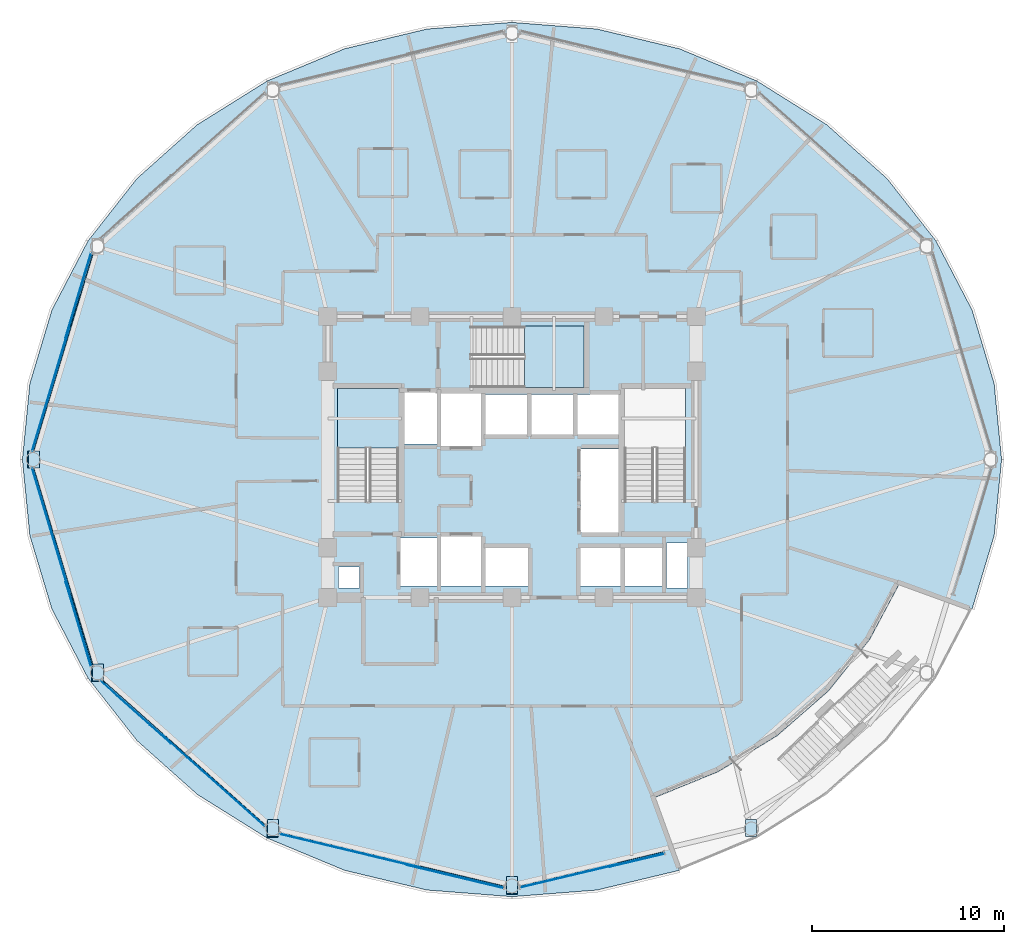
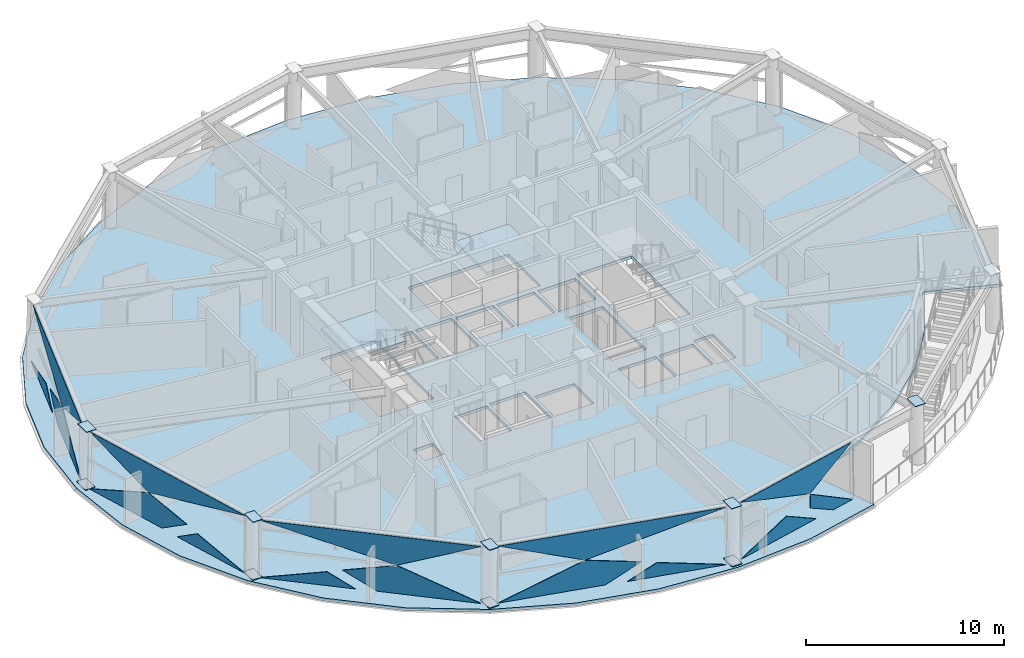
# One storey, part 8 of 18: 24 plates, 3 slabs, 7 elements without a shape of their own.
"""IFC4 building model written with IfcOpenShell, lengths in metres."""

import ifcopenshell
import ifcopenshell.guid

model = None  # the IFC model being written
_history = None  # IfcOwnerHistory: only IFC2X3 demands one
_inside = {}  # id of a spatial element -> (the spatial element, [elements in it])
_under = {}  # id of a project, library or spatial element -> (it, [spatial elements below it])
_declared = {}  # id of a project -> (the project, [libraries it declares])
_typed = {}  # id of a type object -> (the type object, [elements of that type])
_made_of = {}  # id of a material, layer set ... -> (it, [elements and type objects made of it])


def new_model(schema):
    """Start an empty IFC model of exactly this schema.

    Asked for "IFC4X3", IfcOpenShell would pick the latest addendum, in which some entities
    have other attributes; the version numbers below select the first issue.
    IFC2X3 requires an IfcOwnerHistory on every rooted entity: one is made here for all.
    """
    global model, _history
    if schema == "IFC4X3":
        model = ifcopenshell.file(schema_version=(4, 3, 0, 0))
    else:
        model = ifcopenshell.file(schema=schema)
    _inside.clear()
    _under.clear()
    _declared.clear()
    _typed.clear()
    _made_of.clear()
    _history = None
    if model.schema == "IFC2X3":
        org = make("IfcOrganization", Name="unknown")
        user = make(
            "IfcPersonAndOrganization",
            ThePerson=make("IfcPerson", FamilyName="unknown"),
            TheOrganization=org,
        )
        app = make(
            "IfcApplication",
            ApplicationDeveloper=org,
            Version="unknown",
            ApplicationFullName="unknown",
            ApplicationIdentifier="unknown",
        )
        _history = make(
            "IfcOwnerHistory",
            OwningUser=user,
            OwningApplication=app,
            ChangeAction="ADDED",
            CreationDate=0,
        )
    return model


def make(cls, **values):
    """One entity of the class cls with the attributes given. An attribute that is None is left unset."""
    return model.create_entity(
        cls, **{name: value for name, value in values.items() if value is not None}
    )


def rooted(cls, **values):
    """An entity with a GlobalId (a new one), such as an element, a storey or a relation."""
    return make(cls, GlobalId=ifcopenshell.guid.new(), OwnerHistory=_history, **values)


def si_unit(unit_type, name, prefix=None):
    """IfcSIUnit, for example si_unit("LENGTHUNIT", "METRE", prefix="MILLI")."""
    return make("IfcSIUnit", UnitType=unit_type, Prefix=prefix, Name=name)


def assignment(units):
    """IfcUnitAssignment: the units of a project."""
    return None if units is None else make("IfcUnitAssignment", Units=units)


def point(xyz):
    """IfcCartesianPoint."""
    return None if xyz is None else make("IfcCartesianPoint", Coordinates=xyz)


def direction(xyz):
    """IfcDirection."""
    return None if xyz is None else make("IfcDirection", DirectionRatios=xyz)


def frame(location, z_axis=None, x_axis=None):
    """IfcAxis2Placement3D, a coordinate frame: its origin and axes. An axis left out is left unset."""
    return make(
        "IfcAxis2Placement3D",
        Location=point(location),
        Axis=direction(z_axis),
        RefDirection=direction(x_axis),
    )


def origin():
    """The frame at (0, 0, 0) with its axes left unset."""
    return frame((0.0, 0.0, 0.0))


def place(relative_to, where):
    """IfcLocalPlacement: puts the frame where relative to a parent placement (None: the world)."""
    return make(
        "IfcLocalPlacement", PlacementRelTo=relative_to, RelativePlacement=where
    )


def context(
    kind, dimensions, precision=None, world=None, true_north=None, identifier=None
):
    """IfcGeometricRepresentationContext, for example the 3D "Model" context."""
    return make(
        "IfcGeometricRepresentationContext",
        ContextIdentifier=identifier,
        ContextType=kind,
        CoordinateSpaceDimension=dimensions,
        Precision=precision,
        WorldCoordinateSystem=world,
        TrueNorth=true_north,
    )


def subcontext(parent, identifier, kind, view, scale=None):
    """IfcGeometricRepresentationSubContext, for example "Body" below "Model"."""
    return make(
        "IfcGeometricRepresentationSubContext",
        ContextIdentifier=identifier,
        ContextType=kind,
        ParentContext=parent,
        TargetScale=scale,
        TargetView=view,
    )


def project(units=None, contexts=None):
    """IfcProject with its units and contexts."""
    return rooted(
        "IfcProject",
        Name="project",
        RepresentationContexts=contexts,
        UnitsInContext=assignment(units),
    )


def spatial(cls, under=None, at=None, **own):
    """A site, building, storey or space (cls), placed at a placement, below another one or the project."""
    s = rooted(cls, ObjectPlacement=at, **own)
    if under is not None:
        _under.setdefault(under.id(), (under, []))[1].append(s)
    return s


def polyline(points):
    """IfcPolyline through the points."""
    return make("IfcPolyline", Points=[point(p) for p in points])


def outline(outer, holes=None, kind="AREA"):
    """IfcArbitraryClosedProfileDef: a profile drawn as a closed curve; with holes, ...WithVoids."""
    if holes is None:
        return make("IfcArbitraryClosedProfileDef", ProfileType=kind, OuterCurve=outer)
    return make(
        "IfcArbitraryProfileDefWithVoids",
        ProfileType=kind,
        OuterCurve=outer,
        InnerCurves=holes,
    )


def extrude(swept, where, along, depth):
    """IfcExtrudedAreaSolid: the profile swept, set in the frame where, extruded along a direction by depth."""
    return make(
        "IfcExtrudedAreaSolid",
        SweptArea=swept,
        Position=where,
        ExtrudedDirection=direction(along),
        Depth=depth,
    )


def shape(context_of_items, identifier, shape_type, items):
    """IfcShapeRepresentation: the items that make up one representation, for example the "Body"."""
    return make(
        "IfcShapeRepresentation",
        ContextOfItems=context_of_items,
        RepresentationIdentifier=identifier,
        RepresentationType=shape_type,
        Items=items,
    )


def material(Name=None, Category=None):
    """IfcMaterial."""
    return make("IfcMaterial", Name=Name, Category=Category)


def layer(
    of_material, thickness, ventilated=None, Name=None, Category=None, Priority=None
):
    """IfcMaterialLayer: one layer of a wall or slab, of a material (None: an air gap)."""
    return make(
        "IfcMaterialLayer",
        Material=of_material,
        LayerThickness=thickness,
        IsVentilated=ventilated,
        Name=Name,
        Category=Category,
        Priority=Priority,
    )


def layer_set(layers, Name=None):
    """IfcMaterialLayerSet."""
    return make("IfcMaterialLayerSet", MaterialLayers=layers, LayerSetName=Name)


def made_of(thing, what):
    """Note that an element or type object is made of a material, layer set ...; save() writes the relation."""
    if what is not None:
        _made_of.setdefault(what.id(), (what, []))[1].append(thing)
    return thing


def type_object(cls, material=None, **own):
    """A type object (cls), such as IfcWallType, which elements share."""
    return made_of(rooted(cls, **own), material)


def element(
    cls,
    number,
    at=None,
    inside=None,
    cuts=None,
    type_object=None,
    material=None,
    context=None,
    identifier="Body",
    shape_type=None,
    held_by="IfcProductDefinitionShape",
    body=None,
    shapes=None,
    **own,
):
    """One element of the class cls, such as IfcWall. Its Tag is "e" and its number.

    at: its placement. inside: the storey or other place that contains it. cuts: it is an
    opening in that element (IfcRelVoidsElement). A single representation is given by context,
    identifier, shape_type and body (its items); several are given by shapes. held_by: the class
    of the entity that holds the representations. save() writes the other relations.
    """
    e = rooted(cls, Tag="e%d" % number, ObjectPlacement=at, **own)
    if body is not None:
        shapes = [shape(context, identifier, shape_type, body)]
    if shapes is not None:
        e.Representation = make(held_by, Representations=shapes)
    if inside is not None:
        _inside.setdefault(inside.id(), (inside, []))[1].append(e)
    if cuts is not None:
        rooted(
            "IfcRelVoidsElement", RelatingBuildingElement=cuts, RelatedOpeningElement=e
        )
    if type_object is not None:
        _typed.setdefault(type_object.id(), (type_object, []))[1].append(e)
    return made_of(e, material)


def aggregate(whole, parts):
    """IfcRelAggregates: a whole, such as a stair, and the parts it consists of."""
    return rooted("IfcRelAggregates", RelatingObject=whole, RelatedObjects=parts)


def save(model, path):
    """Write the relations noted so far, then the file.

    IfcRelAggregates (storeys below a building ...), IfcRelContainedInSpatialStructure (elements
    in a storey), IfcRelDefinesByType, IfcRelAssociatesMaterial and IfcRelDeclares: one each for
    every whole, place, type object, material and project.
    """
    for whole, parts in _under.values():
        aggregate(whole, parts)
    for where, things in _inside.values():
        rooted(
            "IfcRelContainedInSpatialStructure",
            RelatedElements=things,
            RelatingStructure=where,
        )
    for kind, things in _typed.values():
        rooted("IfcRelDefinesByType", RelatedObjects=things, RelatingType=kind)
    for what, things in _made_of.values():
        rooted("IfcRelAssociatesMaterial", RelatedObjects=things, RelatingMaterial=what)
    for by, libraries in _declared.values():
        rooted("IfcRelDeclares", RelatingContext=by, RelatedDefinitions=libraries)
    model.write(path)


model = new_model("IFC4")

# Units and contexts
model_context = context("Model", 3, precision=1e-05, world=origin(), true_north=direction((0.0, 1.0)))
body_context = subcontext(model_context, "Body", "Model", "MODEL_VIEW")
ifc_project = project(units=[si_unit("LENGTHUNIT", "METRE"), si_unit("AREAUNIT", "SQUARE_METRE"), si_unit("VOLUMEUNIT", "CUBIC_METRE"), si_unit("PLANEANGLEUNIT", "RADIAN"), si_unit("MASSUNIT", "GRAM", prefix="KILO")], contexts=[model_context])

# Site, building, storey
site_placement = place(None, origin())
site = spatial("IfcSite", under=ifc_project, at=site_placement, CompositionType="ELEMENT")
building_placement = place(site_placement, origin())
building = spatial("IfcBuilding", under=site, at=building_placement, Name="Vantalir Tower", CompositionType="ELEMENT")
storey_placement = place(building_placement, frame((0.0, 0.0, 138.449951171875)))
storey = spatial("IfcBuildingStorey", under=building, at=storey_placement, Name="L34", CompositionType="ELEMENT", Elevation=138.449951171875)

# Curtain wall, plates
ifc_material_1 = material(Name="Champagne-silver PVDF aluminium and double-silver Low-E glass", Category="aluminium")
ifc_layer_1 = layer(ifc_material_1, 0.199951171875)
ifc_layer_set_1 = layer_set([ifc_layer_1], Name="Champagne-silver PVDF aluminium and double-silver Low-E glass")
curtain_wall_type = type_object("IfcCurtainWallType", Name="CW-DIAMOND-Z2", PredefinedType="USERDEFINED", material=ifc_layer_set_1)
curtain_wall_1_placement = place(storey_placement, origin())
curtain_wall_1 = element("IfcCurtainWall", 1, at=curtain_wall_1_placement, inside=storey, type_object=curtain_wall_type, Name="L34 Quilted Pyramid-Diamond Curtain Wall S06", ObjectType="UNITISED CURTAIN WALL", PredefinedType="USERDEFINED")
ifc_material_2 = material(Name="Double-silver Low-E laminated glass IGU", Category="glass")
ifc_layer_2 = layer(ifc_material_2, 0.028076171875)
ifc_layer_set_2 = layer_set([ifc_layer_2], Name="Double-silver Low-E laminated glass IGU")
plate_type_1 = type_object("IfcPlateType", Name="CWP-IGU-28", PredefinedType="CURTAIN_PANEL", material=ifc_layer_set_2)
plate_1_placement = place(storey_placement, frame((7.9267578125, 30.274658203125, 0.046630859375), z_axis=(-0.957646673182, 0.287926248303, 0.003365246067), x_axis=(-0.287927722445, -0.957652141598, 4.8374838e-05)))
plate_1 = element("IfcPlate", 2, at=plate_1_placement, type_object=plate_type_1, Name="CW-L34-S06 Pyramid Diamond Facet 1L", PredefinedType="CURTAIN_PANEL", context=body_context, shape_type="SweptSolid", body=[
    extrude(outline(polyline([(0.0, 0.0), (5.053072374277684, 0.0), (0.9436419475067914, 1.7262824878685095), (-1.7075767561448838, 1.0420809941366045), (0.0, 0.0)])), origin(), (0.0, 0.0, -1.0), 0.028076171875),
])
plate_2_placement = place(storey_placement, frame((9.55029296875, 35.78564453125, 0.046630859375), z_axis=(-0.957655057104, 0.287900136378, 0.003209840723), x_axis=(-0.287901619518, -0.957659990539, 0.0)))
plate_2 = element("IfcPlate", 3, at=plate_2_placement, type_object=plate_type_1, Name="CW-L34-S06 Pyramid Diamond Facet 1L Infill Light", PredefinedType="CURTAIN_PANEL", context=body_context, shape_type="SweptSolid", body=[
    extrude(outline(polyline([(0.0, 0.0), (4.651280983993641, 8.673617379884035e-19), (3.2687214853731024, 0.8437543466443949), (0.0, 0.0)])), origin(), (0.0, 0.0, -1.0), 0.028076171875),
])
plate_3_placement = place(storey_placement, frame((6.533935546875, 25.435546875, 3.523193359375), z_axis=(-0.957220405249, 0.287719805381, 0.030763767111), x_axis=(0.287857388556, 0.95767328552, 4.5339012e-05)))
plate_3 = element("IfcPlate", 4, at=plate_3_placement, type_object=plate_type_1, Name="CW-L34-S06 Pyramid Diamond Facet 2U", PredefinedType="CURTAIN_PANEL", context=body_context, shape_type="SweptSolid", body=[
    extrude(outline(polyline([(0.0, 0.0), (10.769560829429146, 1.9136168344369153e-17), (4.091654982504182, 1.7270771865919425), (0.0, 0.0)])), origin(), (0.0, 0.0, -1.0), 0.028076171875),
])
aggregate(curtain_wall_1, [plate_1, plate_2, plate_3])

curtain_wall_2_placement = place(storey_placement, origin())
curtain_wall_2 = element("IfcCurtainWall", 5, at=curtain_wall_2_placement, inside=storey, type_object=curtain_wall_type, Name="L34 Quilted Pyramid-Diamond Curtain Wall S07", ObjectType="UNITISED CURTAIN WALL", PredefinedType="USERDEFINED")
plate_4_placement = place(storey_placement, frame((6.471923828125, 24.564453125, 0.046875), z_axis=(-0.957657175469, -0.287892013628, 0.003304960155), x_axis=(0.287893432862, -0.957662450442, -4.8255434e-05)))
plate_4 = element("IfcPlate", 6, at=plate_4_placement, type_object=plate_type_1, Name="CW-L34-S07 Pyramid Diamond Facet 1L", PredefinedType="CURTAIN_PANEL", context=body_context, shape_type="SweptSolid", body=[
    extrude(outline(polyline([(0.0, 0.0), (5.05307237424038, -6.505213034913027e-19), (6.760812630996521, 1.042324127203851), (4.109664229762992, 1.7262822647263172), (0.0, 0.0)])), origin(), (0.0, 0.0, -1.0), 0.028076171875),
])
plate_5_placement = place(storey_placement, frame((8.2109375, 18.66845703125, 0.046630859375), z_axis=(-0.957652775924, -0.287904599338, 0.00347885696), x_axis=(0.287906341529, -0.957658570947, 0.0)))
plate_5 = element("IfcPlate", 7, at=plate_5_placement, type_object=plate_type_1, Name="CW-L34-S07 Pyramid Diamond Facet 1L Infill Light", PredefinedType="CURTAIN_PANEL", context=body_context, shape_type="SweptSolid", body=[
    extrude(outline(polyline([(0.0, 0.0), (4.652052683657404, 0.0), (1.3826298015920189, 0.8437551057656457), (0.0, 0.0)])), origin(), (0.0, 0.0, -1.0), 0.028076171875),
])
plate_6_placement = place(storey_placement, frame((9.634033203125, 14.250732421875, 3.523681640625), z_axis=(-0.957219206718, -0.287719443202, 0.030804420021), x_axis=(-0.287857388556, 0.95767328552, -4.5339012e-05)))
plate_6 = element("IfcPlate", 8, at=plate_6_placement, type_object=plate_type_1, Name="CW-L34-S07 Pyramid Diamond Facet 2U", PredefinedType="CURTAIN_PANEL", context=body_context, shape_type="SweptSolid", body=[
    extrude(outline(polyline([(0.0, 0.0), (10.769560829429146, -1.3877787807814457e-17), (6.67767203997049, 1.7270793606222616), (0.0, 0.0)])), origin(), (0.0, 0.0, -1.0), 0.028076171875),
])
aggregate(curtain_wall_2, [plate_4, plate_5, plate_6])

curtain_wall_3_placement = place(storey_placement, origin())
curtain_wall_3 = element("IfcCurtainWall", 9, at=curtain_wall_3_placement, inside=storey, type_object=curtain_wall_type, Name="L34 Quilted Pyramid-Diamond Curtain Wall S08", ObjectType="UNITISED CURTAIN WALL", PredefinedType="USERDEFINED")
plate_7_placement = place(storey_placement, frame((14.578125, 9.44921875, 0.046630859375), z_axis=(-0.665429031024, -0.746457106866, 0.002447913399), x_axis=(0.746459343439, -0.66543102467, 4.4632e-08)))
plate_7 = element("IfcPlate", 10, at=plate_7_placement, type_object=plate_type_1, Name="CW-L34-S08 Pyramid Diamond Facet 1L", PredefinedType="CURTAIN_PANEL", context=body_context, shape_type="SweptSolid", body=[
    extrude(outline(polyline([(0.0, 0.0), (5.361487202268064, 0.0), (1.0140582376187854, 1.7265676277864628), (-1.7936946683047188, 1.041751487464333), (0.0, 0.0)])), origin(), (0.0, 0.0, -1.0), 0.028076171875),
])
plate_8_placement = place(storey_placement, frame((10.0302734375, 13.46044921875, 0.046630859375), z_axis=(-0.665400262991, -0.74648260857, 0.002491006711), x_axis=(0.746484924586, -0.665402327443, 0.0)))
plate_8 = element("IfcPlate", 11, at=plate_8_placement, type_object=plate_type_1, Name="CW-L34-S08 Pyramid Diamond Facet 1L Infill Light", PredefinedType="CURTAIN_PANEL", context=body_context, shape_type="SweptSolid", body=[
    extrude(outline(polyline([(0.0, 0.0), (4.929025675121466, -8.673617379884035e-19), (3.4711027875536344, 0.846682314384401), (0.0, 0.0)])), origin(), (0.0, 0.0, -1.0), 0.028076171875),
])
plate_9_placement = place(storey_placement, frame((18.611328125, 5.9296875, 3.5234375), z_axis=(-0.665087369526, -0.746163123623, 0.029989728937), x_axis=(-0.746498465783, 0.665387135527, 2.1424018e-05)))
plate_9 = element("IfcPlate", 12, at=plate_9_placement, type_object=plate_type_1, Name="CW-L34-S08 Pyramid Diamond Facet 2U", PredefinedType="CURTAIN_PANEL", context=body_context, shape_type="SweptSolid", body=[
    extrude(outline(polyline([(0.0, 0.0), (11.395650932216812, -4.3639137442541553e-17), (4.338515562294263, 1.7274324359819784), (0.0, 0.0)])), origin(), (0.0, 0.0, -1.0), 0.028076171875),
])
aggregate(curtain_wall_3, [plate_7, plate_8, plate_9])

curtain_wall_4_placement = place(storey_placement, origin())
curtain_wall_4 = element("IfcCurtainWall", 13, at=curtain_wall_4_placement, inside=storey, type_object=curtain_wall_type, Name="L34 Quilted Pyramid-Diamond Curtain Wall S09", ObjectType="UNITISED CURTAIN WALL", PredefinedType="USERDEFINED")
plate_10_placement = place(storey_placement, frame((19.362548828125, 5.473388671875, 0.046630859375), z_axis=(-0.232269390394, -0.97264999422, 0.001708516984), x_axis=(0.972651395759, -0.232269801005, -4.3222365e-05)))
plate_10 = element("IfcPlate", 14, at=plate_10_placement, type_object=plate_type_1, Name="CW-L34-S09 Pyramid Diamond Facet 1L", PredefinedType="CURTAIN_PANEL", context=body_context, shape_type="SweptSolid", body=[
    extrude(outline(polyline([(0.0, 0.0), (5.644835477015347, 2.439454888092385e-19), (7.530189870981301, 1.0420750413867494), (4.5755267924473895, 1.7270070854080548), (0.0, 0.0)])), origin(), (0.0, 0.0, -1.0), 0.028076171875),
])
plate_11_placement = place(storey_placement, frame((25.990478515625, 3.857666015625, 0.046630859375), z_axis=(-0.232229102329, -0.972659222924, 0.001918356722), x_axis=(0.972660990686, -0.232229616962, -4.6934037e-05)))
plate_11 = element("IfcPlate", 15, at=plate_11_placement, type_object=plate_type_1, Name="CW-L34-S09 Pyramid Diamond Facet 1L Infill Light", PredefinedType="CURTAIN_PANEL", context=body_context, shape_type="SweptSolid", body=[
    extrude(outline(polyline([(0.0, 0.0), (5.20178187564579, 2.710505431213761e-20), (1.5374650590287167, 0.8496830988360412), (0.0, 0.0)])), origin(), (0.0, 0.0, -1.0), 0.028076171875),
])
plate_12_placement = place(storey_placement, frame((31.057373046875, 2.735595703125, 3.523681640625), z_axis=(-0.232196720041, -0.972232178585, 0.029142308174), x_axis=(-0.972645425231, 0.232294804854, -2.0358879e-05)))
plate_12 = element("IfcPlate", 16, at=plate_12_placement, type_object=plate_type_1, Name="CW-L34-S09 Pyramid Diamond Facet 2U", PredefinedType="CURTAIN_PANEL", context=body_context, shape_type="SweptSolid", body=[
    extrude(outline(polyline([(0.0, 0.0), (11.991850325724592, -2.0166160408230382e-17), (7.435382879366715, 1.7276331784560743), (0.0, 0.0)])), origin(), (0.0, 0.0, -1.0), 0.028076171875),
])
aggregate(curtain_wall_4, [plate_10, plate_11, plate_12])

curtain_wall_5_placement = place(storey_placement, origin())
curtain_wall_5 = element("IfcCurtainWall", 17, at=curtain_wall_5_placement, inside=storey, type_object=curtain_wall_type, Name="L34 Quilted Pyramid-Diamond Curtain Wall S10", ObjectType="UNITISED CURTAIN WALL", PredefinedType="USERDEFINED")
plate_13_placement = place(storey_placement, frame((31.9423828125, 2.6806640625, 0.047119140625), z_axis=(0.232237842092, -0.972657666778, 0.001627255051), x_axis=(0.972658935746, 0.232238223618, 4.6945265e-05)))
plate_13 = element("IfcPlate", 18, at=plate_13_placement, type_object=plate_type_1, Name="CW-L34-S10 Pyramid Diamond Facet 1L", PredefinedType="CURTAIN_PANEL", context=body_context, shape_type="SweptSolid", body=[
    extrude(outline(polyline([(0.0, 0.0), (5.200537848854659, 1.3552527156068805e-19), (3.146068065442013, 1.1353518583121063), (0.0, 0.0)])), origin(), (0.0, 0.0, -1.0), 0.028076171875),
])
plate_14_placement = place(storey_placement, frame((38.15283203125, 4.130859375, 0.04736328125), z_axis=(0.232229927682, -0.972659772195, 0.001492729793), x_axis=(0.972660776247, 0.23223044792, 0.000182781483)))
plate_14 = element("IfcPlate", 19, at=plate_14_placement, type_object=plate_type_1, Name="CW-L34-S10 Pyramid Diamond Facet 1L Infill Light", PredefinedType="CURTAIN_PANEL", context=body_context, shape_type="SweptSolid", body=[
    extrude(outline(polyline([(0.0, 0.0), (1.3353242630065887, 1.0842021724855044e-19), (-1.5989621157738008, 1.7249035862334205), (-1.5989243545714638, 0.8840822479328341), (0.0, 0.0)])), origin(), (0.0, 0.0, -1.0), 0.028076171875),
])
plate_15_placement = place(storey_placement, frame((39.423583984375, 4.522216796875, 3.522705078125), z_axis=(0.232185105371, -0.972235454815, 0.029125542817), x_axis=(-0.972648304033, -0.232282749369, 3.1741289e-05)))
plate_15 = element("IfcPlate", 20, at=plate_15_placement, type_object=plate_type_1, Name="CW-L34-S10 Pyramid Diamond Facet 2U", PredefinedType="CURTAIN_PANEL", context=body_context, shape_type="SweptSolid", body=[
    extrude(outline(polyline([(0.0, 0.0), (7.691578899439372, -2.2768245622195593e-18), (2.9258744377231882, 1.7251899984784858), (0.0, 0.0)])), origin(), (0.0, 0.0, -1.0), 0.028076171875),
])
aggregate(curtain_wall_5, [plate_13, plate_14, plate_15])

# Plates
ifc_material_3 = material(Name="Steel S460", Category="steel")
ifc_layer_3 = layer(ifc_material_3, 0.035888671875)
ifc_layer_set_3 = layer_set([ifc_layer_3], Name="Steel S460")
plate_type_2 = type_object("IfcPlateType", Name="PLT-KN-Z2", PredefinedType="USERDEFINED", material=ifc_layer_set_3)
plate_16_placement = place(storey_placement, frame((6.303466796875, 25.43994140625, 3.60302734375), z_axis=(0.017253323722, 0.0, 0.999851150332), x_axis=(0.0, -1.0, 0.0)))
element("IfcPlate", 21, at=plate_16_placement, inside=storey, type_object=plate_type_2, Name="L34 Ring Column Top Cap RC07", ObjectType="FLANGE_PLATE", PredefinedType="USERDEFINED", context=body_context, shape_type="SweptSolid", body=[
    extrude(outline(polyline([(0.0, 0.0), (0.8798828125, 0.0), (0.8798828125, 0.580164482290482), (0.0, 0.580164482290482), (0.0, 0.0)])), origin(), (0.0, 0.0, -1.0), 0.035888671875),
])
plate_17_placement = place(storey_placement, frame((6.241943359375, 25.43994140625, 0.05810546875), z_axis=(0.017260586116, 0.0, 0.999851024987), x_axis=(0.0, -1.0, 0.0)))
element("IfcPlate", 22, at=plate_17_placement, inside=storey, type_object=plate_type_2, Name="L34 Ring Column Base Cap RC07", ObjectType="FLANGE_PLATE", PredefinedType="USERDEFINED", context=body_context, shape_type="SweptSolid", body=[
    extrude(outline(polyline([(0.0, 0.0), (0.8798828125, 0.0), (0.8798828125, 0.5799203780210307), (0.0, 0.5799203780210307), (0.0, 0.0)])), origin(), (0.0, 0.0, -1.0), 0.035888671875),
])
plate_18_placement = place(storey_placement, frame((9.640380859375, 14.350341796875, 3.598876953125), z_axis=(0.015150978548, 0.008044314848, 0.999852857598), x_axis=(1.6904e-08, -0.999967636549, 0.008045238046)))
element("IfcPlate", 23, at=plate_18_placement, inside=storey, type_object=plate_type_2, Name="L34 Ring Column Top Cap RC08", ObjectType="FLANGE_PLATE", PredefinedType="USERDEFINED", context=body_context, shape_type="SweptSolid", body=[
    extrude(outline(polyline([(0.0, 0.0), (0.8801554300931103, -1.3552527156068805e-20), (0.880084729798533, 0.5801447006770369), (0.00017343242918964666, 0.5801447304319998), (0.0, 0.0)])), origin(), (0.0, 0.0, -1.0), 0.035888671875),
])
plate_19_placement = place(storey_placement, frame((9.5869140625, 14.322509765625, 0.053955078125), z_axis=(0.015157331297, 0.00776694097, 0.999854954449), x_axis=(1.6328e-08, -0.999969829929, 0.007767833082)))
element("IfcPlate", 24, at=plate_19_placement, inside=storey, type_object=plate_type_2, Name="L34 Ring Column Base Cap RC08", ObjectType="FLANGE_PLATE", PredefinedType="USERDEFINED", context=body_context, shape_type="SweptSolid", body=[
    extrude(outline(polyline([(0.0, 0.0), (0.880153500054224, 1.3552527156068805e-20), (0.8800852375511141, 0.5799005883728248), (0.0001758707561501885, 0.5799006171138635), (0.0, 0.0)])), origin(), (0.0, 0.0, -1.0), 0.035888671875),
])
plate_20_placement = place(storey_placement, frame((18.75634765625, 6.232421875, 3.5947265625), z_axis=(0.008633308393, 0.013453683691, 0.999872224027), x_axis=(1.181368e-06, -0.999909488492, 0.013454174899)))
element("IfcPlate", 25, at=plate_20_placement, inside=storey, type_object=plate_type_2, Name="L34 Ring Column Top Cap RC09", ObjectType="FLANGE_PLATE", PredefinedType="USERDEFINED", context=body_context, shape_type="SweptSolid", body=[
    extrude(outline(polyline([(0.0, 0.0), (0.8799608390919006, 2.710505431213761e-20), (0.8801399484032871, 0.57985455445262), (-6.829392674607561e-05, 0.5798566339374953), (0.0, 0.0)])), origin(), (0.0, 0.0, -1.0), 0.035888671875),
])
plate_21_placement = place(storey_placement, frame((18.7255859375, 6.184814453125, 0.049560546875), z_axis=(0.008633308393, 0.013453683691, 0.999872224027), x_axis=(-1.181036e-06, -0.999909488218, 0.013454195294)))
element("IfcPlate", 26, at=plate_21_placement, inside=storey, type_object=plate_type_2, Name="L34 Ring Column Base Cap RC09", ObjectType="FLANGE_PLATE", PredefinedType="USERDEFINED", context=body_context, shape_type="SweptSolid", body=[
    extrude(outline(polyline([(0.0, 0.0), (0.8802082423324896, 1.3552527156068805e-20), (0.8801385784991216, 0.5798566337745333), (0.00017773940967657988, 0.579854554874146), (0.0, 0.0)])), origin(), (0.0, 0.0, -1.0), 0.035888671875),
])
plate_22_placement = place(storey_placement, frame((31.2099609375, 3.260498046875, 3.59130859375), z_axis=(0.0, 0.015254812794, 0.999883638573), x_axis=(0.0, -0.999883638573, 0.015254812794)))
element("IfcPlate", 27, at=plate_22_placement, inside=storey, type_object=plate_type_2, Name="L34 Ring Column Top Cap RC10", ObjectType="FLANGE_PLATE", PredefinedType="USERDEFINED", context=body_context, shape_type="SweptSolid", body=[
    extrude(outline(polyline([(0.0, 0.0), (0.8802293778712122, 0.0), (0.8802293778712122, 0.580078125), (0.0, 0.580078125), (0.0, 0.0)])), origin(), (0.0, 0.0, -1.0), 0.035888671875),
])
plate_23_placement = place(storey_placement, frame((31.2099609375, 3.205810546875, 0.04638671875), z_axis=(0.0, 0.015259044553, 0.999883574002), x_axis=(0.0, -0.999883574002, 0.015259044553)))
element("IfcPlate", 28, at=plate_23_placement, inside=storey, type_object=plate_type_2, Name="L34 Ring Column Base Cap RC10", ObjectType="FLANGE_PLATE", PredefinedType="USERDEFINED", context=body_context, shape_type="SweptSolid", body=[
    extrude(outline(polyline([(0.0, 0.0), (0.8799852656626449, 0.0), (0.8799852656626449, 0.5800781250000001), (0.0, 0.5800781250000001), (0.0, 0.0)])), origin(), (0.0, 0.0, -1.0), 0.035888671875),
])
plate_24_placement = place(storey_placement, frame((43.663818359375, 6.232177734375, 3.743896484375), z_axis=(-0.008214997892, 0.012900821616, 0.999883034465), x_axis=(1.139475e-06, -0.9999167752, 0.012901266312)))
element("IfcPlate", 29, at=plate_24_placement, inside=storey, type_object=plate_type_2, Name="L34 Ring Column Top Cap RC11", ObjectType="FLANGE_PLATE", PredefinedType="USERDEFINED", context=body_context, shape_type="SweptSolid", body=[
    extrude(outline(polyline([(0.0, 0.0), (0.8799576214202269, 0.0), (0.8797740065615366, 0.5798525482443831), (-0.00018046513546969716, 0.5798545536885971), (0.0, 0.0)])), origin(), (0.0, 0.0, -1.0), 0.035888671875),
])

# Stair, slab
ifc_material_4 = material(Name="Concrete C40/50", Category="concrete")
stair_type = type_object("IfcStairType", Name="STR-CORE-1450", PredefinedType="HALF_TURN_STAIR", material=ifc_material_4)
stair_1_placement = place(storey_placement, origin())
stair_1 = element("IfcStair", 30, at=stair_1_placement, inside=storey, type_object=stair_type, Name="L34 Core Exit Stair 1", PredefinedType="HALF_TURN_STAIR")
ifc_layer_4 = layer(ifc_material_4, 0.199951171875)
ifc_layer_set_4 = layer_set([ifc_layer_4], Name="Concrete C40/50")
slab_type_1 = type_object("IfcSlabType", Name="SL-LAND-200", PredefinedType="LANDING", material=ifc_layer_set_4)
slab_1_placement = place(storey_placement, frame((0.0, 0.0, 1.675048828125)))
slab_1 = element("IfcSlab", 31, at=slab_1_placement, type_object=slab_type_1, Name="ST1 landing 1", PredefinedType="LANDING", context=body_context, shape_type="SweptSolid", body=[
    extrude(outline(polyline([(25.60009765625, 25.590087890625), (25.60009765625, 28.699951171875), (22.39990234375, 28.699951171875), (22.39990234375, 25.590087890625), (25.60009765625, 25.590087890625)])), origin(), (0.0, 0.0, 1.0), 0.199951171875),
])
aggregate(stair_1, [slab_1])

stair_2_placement = place(storey_placement, origin())
stair_2 = element("IfcStair", 32, at=stair_2_placement, inside=storey, type_object=stair_type, Name="L34 Core Exit Stair 3", PredefinedType="HALF_TURN_STAIR")
slab_2_placement = place(storey_placement, frame((0.0, 0.0, 1.675048828125)))
slab_2 = element("IfcSlab", 33, at=slab_2_placement, type_object=slab_type_1, Name="ST3 landing 1", PredefinedType="LANDING", context=body_context, shape_type="SweptSolid", body=[
    extrude(outline(polyline([(32.139892578125, 28.75), (35.25, 28.75), (35.25, 31.949951171875), (32.139892578125, 31.949951171875), (32.139892578125, 28.75)])), origin(), (0.0, 0.0, 1.0), 0.199951171875),
])
aggregate(stair_2, [slab_2])

# Slab
ifc_layer_5 = layer(ifc_material_4, 0.179931640625)
ifc_layer_set_5 = layer_set([ifc_layer_5], Name="Concrete C40/50")
slab_type_2 = type_object("IfcSlabType", Name="SL-TWR-180", PredefinedType="FLOOR", material=ifc_layer_set_5)
slab_3_placement = place(storey_placement, frame((0.0, 0.0, -0.179931640625)))
element("IfcSlab", 34, at=slab_3_placement, inside=storey, type_object=slab_type_2, Name="L34 Primary Structural Slab", PredefinedType="FLOOR", context=body_context, shape_type="SweptSolid", body=[
    extrude(outline(polyline([(15.096923828125, 7.5458984375), (18.739990234375, 5.26806640625), (22.77197265625, 3.589111328125), (27.069091796875, 2.56103515625), (31.5, 2.215087890625), (35.930908203125, 2.56103515625), (40.22802734375, 3.589111328125), (38.860107421875, 7.347900390625), (42.260009765625, 8.73193359375), (45.33203125, 10.610107421875), (47.985107421875, 12.925048828125), (50.135986328125, 15.60693359375), (51.720947265625, 18.574951171875), (55.47998046875, 17.20703125), (56.631103515625, 21.04296875), (57.01904296875, 25.0), (56.631103515625, 28.95703125), (55.47998046875, 32.79296875), (53.60009765625, 36.39208984375), (51.049072265625, 39.64599609375), (47.903076171875, 42.4541015625), (44.260009765625, 44.73193359375), (40.22802734375, 46.410888671875), (35.930908203125, 47.43896484375), (31.5, 47.784912109375), (27.069091796875, 47.43896484375), (22.77197265625, 46.410888671875), (18.740966796875, 44.73193359375), (15.096923828125, 42.4541015625), (11.950927734375, 39.64599609375), (9.39990234375, 36.39208984375), (7.52001953125, 32.79296875), (6.368896484375, 28.95703125), (5.98095703125, 25.0), (6.368896484375, 21.04296875), (7.52001953125, 17.20703125), (9.39990234375, 13.60693359375), (11.950927734375, 10.35400390625), (15.096923828125, 7.5458984375)]), holes=[polyline([(22.39990234375, 22.7900390625), (22.39990234375, 28.699951171875), (25.60009765625, 28.699951171875), (25.60009765625, 22.7900390625), (22.39990234375, 22.7900390625)]), polyline([(37.35009765625, 28.699951171875), (40.550048828125, 28.699951171875), (40.550048828125, 22.7900390625), (37.35009765625, 22.7900390625), (37.35009765625, 28.699951171875)]), polyline([(35.25, 28.75), (29.340087890625, 28.75), (29.340087890625, 31.949951171875), (35.25, 31.949951171875), (35.25, 28.75)]), polyline([(27.60009765625, 18.39990234375), (25.699951171875, 18.39990234375), (25.699951171875, 20.89990234375), (27.60009765625, 20.89990234375), (27.60009765625, 18.39990234375)]), polyline([(25.699951171875, 25.800048828125), (25.699951171875, 28.5), (27.60009765625, 28.5), (27.60009765625, 25.800048828125), (25.699951171875, 25.800048828125)]), polyline([(27.800048828125, 21.0), (29.89990234375, 21.0), (29.89990234375, 18.39990234375), (27.800048828125, 18.39990234375), (27.800048828125, 21.0)]), polyline([(29.89990234375, 28.5), (29.89990234375, 25.699951171875), (27.800048828125, 25.699951171875), (27.800048828125, 28.5), (29.89990234375, 28.5)]), polyline([(32.39990234375, 18.39990234375), (30.10009765625, 18.39990234375), (30.10009765625, 20.39990234375), (32.39990234375, 20.39990234375), (32.39990234375, 18.39990234375)]), polyline([(37.35009765625, 18.39990234375), (37.35009765625, 20.39990234375), (39.35009765625, 20.39990234375), (39.35009765625, 18.39990234375), (37.35009765625, 18.39990234375)]), polyline([(35.0, 20.39990234375), (37.199951171875, 20.39990234375), (37.199951171875, 18.39990234375), (35.0, 18.39990234375), (35.0, 20.39990234375)]), polyline([(32.300048828125, 28.39990234375), (32.300048828125, 26.300048828125), (30.10009765625, 26.300048828125), (30.10009765625, 28.39990234375), (32.300048828125, 28.39990234375)]), polyline([(34.699951171875, 26.300048828125), (32.5, 26.300048828125), (32.5, 28.39990234375), (34.699951171875, 28.39990234375), (34.699951171875, 26.300048828125)]), polyline([(34.89990234375, 26.300048828125), (34.89990234375, 28.39990234375), (37.10009765625, 28.39990234375), (37.10009765625, 26.300048828125), (34.89990234375, 26.300048828125)]), polyline([(35.10009765625, 25.56005859375), (37.06005859375, 25.56005859375), (37.06005859375, 21.199951171875), (35.10009765625, 21.199951171875), (35.10009765625, 25.56005859375)]), polyline([(23.550048828125, 19.39990234375), (23.550048828125, 18.300048828125), (22.449951171875, 18.300048828125), (22.449951171875, 19.39990234375), (23.550048828125, 19.39990234375)]), polyline([(40.64990234375, 18.300048828125), (39.550048828125, 18.300048828125), (39.550048828125, 20.64990234375), (40.64990234375, 20.64990234375), (40.64990234375, 18.300048828125)])]), origin(), (0.0, 0.0, 1.0), 0.179931640625),
])

save(model, "model.ifc")
